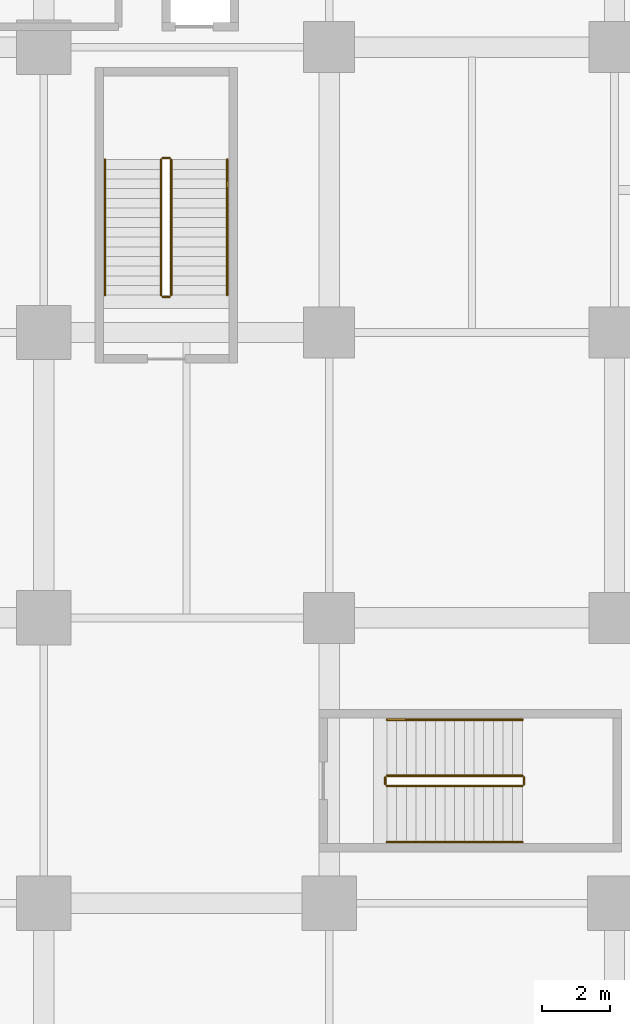
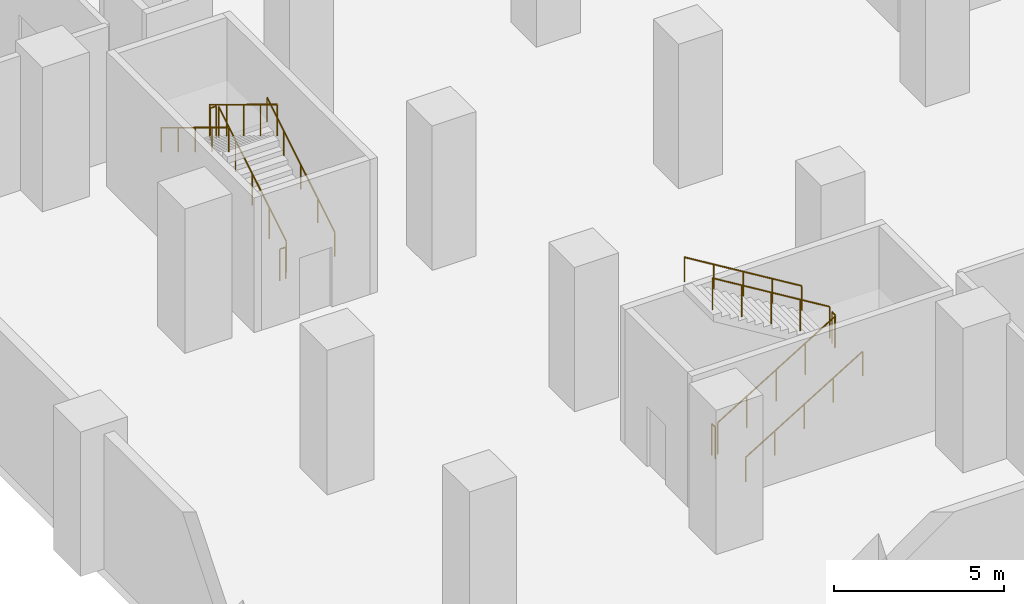
# One storey, part 16 of 19: 12 railings.
"""IFC4 building model written with IfcOpenShell, lengths in metres."""

from ifc_helpers import new_model, si_unit, direction, frame, origin, origin_2d, place, context, subcontext, project, spatial, circle, extrude, material, type_object, element, save


model = new_model("IFC4")

# Units and contexts
model_context = context("Model", 3, precision=1e-05, world=origin(), true_north=direction((0.0, 1.0)))
body_context = subcontext(model_context, "Body", "Model", "MODEL_VIEW")
ifc_project = project(units=[si_unit("LENGTHUNIT", "METRE"), si_unit("AREAUNIT", "SQUARE_METRE"), si_unit("VOLUMEUNIT", "CUBIC_METRE"), si_unit("PLANEANGLEUNIT", "RADIAN"), si_unit("MASSUNIT", "GRAM", prefix="KILO")], contexts=[model_context])

# Site, building, storey
site_placement = place(None, origin())
site = spatial("IfcSite", under=ifc_project, at=site_placement, CompositionType="ELEMENT")
building_placement = place(site_placement, origin())
building = spatial("IfcBuilding", under=site, at=building_placement, Name="Koriwani Terraces Tower", CompositionType="ELEMENT")
storey_placement = place(building_placement, frame((0.0, 0.0, 15.60009765625)))
storey = spatial("IfcBuildingStorey", under=building, at=storey_placement, Name="L03", CompositionType="ELEMENT", Elevation=15.60009765625)

# Railings
ifc_material = material(Name="Steel ASTM A572 Grade 50", Category="steel")
railing_type_1 = type_object("IfcRailingType", Name="GUARD_STAIR_WELL_1120", PredefinedType="GUARDRAIL", material=ifc_material)
railing_1_placement = place(storey_placement, frame((12.14990234375, 26.300048828125, 0.17333984375)))
element("IfcRailing", 1, at=railing_1_placement, inside=storey, type_object=railing_type_1, Name="L03 ST-P1 stair guard 1", PredefinedType="GUARDRAIL", context=body_context, shape_type="SweptSolid", body=[
    extrude(circle(Radius=0.02392578125, at=origin_2d()), frame((0.0, 0.0, 1.1259765625), z_axis=(0.0, 0.854405443041, 0.519606908058), x_axis=(-1.0, 0.0, 0.0)), (0.0, 0.0, 1.0), 4.669921875),
    extrude(circle(Radius=0.02099609375, at=origin_2d()), origin(), (0.0, 0.0, 1.0), 1.101806640625),
    extrude(circle(Radius=0.02099609375, at=origin_2d()), frame((0.0, 0.99755859375, 0.606689453125)), (0.0, 0.0, 1.0), 1.101806640625),
    extrude(circle(Radius=0.02099609375, at=origin_2d()), frame((0.0, 1.9951171875, 1.21337890625)), (0.0, 0.0, 1.0), 1.101806640625),
    extrude(circle(Radius=0.02099609375, at=origin_2d()), frame((0.0, 2.992431640625, 1.81982421875)), (0.0, 0.0, 1.0), 1.101806640625),
    extrude(circle(Radius=0.02099609375, at=origin_2d()), frame((0.0, 3.989990234375, 2.426513671875)), (0.0, 0.0, 1.0), 1.101806640625),
])
railing_2_placement = place(storey_placement, frame((12.10009765625, 30.340087890625, 2.599853515625)))
element("IfcRailing", 2, at=railing_2_placement, inside=storey, type_object=railing_type_1, Name="L03 ST-P1 stair guard 2", PredefinedType="GUARDRAIL", context=body_context, shape_type="SweptSolid", body=[
    extrude(circle(Radius=0.02392578125, at=origin_2d()), frame((0.0, 0.0, 1.1259765625), z_axis=(-1.0, 0.0, 0.0), x_axis=(0.0, -1.0, 0.0)), (0.0, 0.0, 1.0), 0.2001953125),
    extrude(circle(Radius=0.02099609375, at=origin_2d()), origin(), (0.0, 0.0, 1.0), 1.101806640625),
    extrude(circle(Radius=0.02099609375, at=origin_2d()), frame((-0.2001953125, 0.0, 0.0)), (0.0, 0.0, 1.0), 1.101806640625),
])
railing_3_placement = place(storey_placement, frame((11.85009765625, 30.2900390625, 2.773193359375)))
element("IfcRailing", 3, at=railing_3_placement, inside=storey, type_object=railing_type_1, Name="L03 ST-P1 stair guard 3", PredefinedType="GUARDRAIL", context=body_context, shape_type="SweptSolid", body=[
    extrude(circle(Radius=0.02392578125, at=origin_2d()), frame((0.0, 0.0, 1.1259765625), z_axis=(0.0, -0.854382233033, 0.519645071061), x_axis=(1.0, 0.0, 0.0)), (0.0, 0.0, 1.0), 4.669921875),
    extrude(circle(Radius=0.02099609375, at=origin_2d()), origin(), (0.0, 0.0, 1.0), 1.101806640625),
    extrude(circle(Radius=0.02099609375, at=origin_2d()), frame((0.0, -0.99755859375, 0.606689453125)), (0.0, 0.0, 1.0), 1.101806640625),
    extrude(circle(Radius=0.02099609375, at=origin_2d()), frame((0.0, -1.9951171875, 1.21337890625)), (0.0, 0.0, 1.0), 1.101806640625),
    extrude(circle(Radius=0.02099609375, at=origin_2d()), frame((0.0, -2.992431640625, 1.820068359375)), (0.0, 0.0, 1.0), 1.101806640625),
    extrude(circle(Radius=0.02099609375, at=origin_2d()), frame((0.0, -3.989990234375, 2.4267578125)), (0.0, 0.0, 1.0), 1.101806640625),
])
railing_4_placement = place(storey_placement, frame((12.10009765625, 26.25, 0.0)))
element("IfcRailing", 4, at=railing_4_placement, inside=storey, type_object=railing_type_1, Name="L03 ST-P1 stair guard 4", PredefinedType="GUARDRAIL", context=body_context, shape_type="SweptSolid", body=[
    extrude(circle(Radius=0.02392578125, at=origin_2d()), frame((0.0, 0.0, 1.1259765625), z_axis=(-1.0, 0.0, 0.0), x_axis=(0.0, -1.0, 0.0)), (0.0, 0.0, 1.0), 0.2001953125),
    extrude(circle(Radius=0.02099609375, at=origin_2d()), origin(), (0.0, 0.0, 1.0), 1.101806640625),
    extrude(circle(Radius=0.02099609375, at=origin_2d()), frame((-0.2001953125, 0.0, 0.0)), (0.0, 0.0, 1.0), 1.101806640625),
])
railing_5_placement = place(storey_placement, frame((18.5, 11.85009765625, 0.17333984375)))
element("IfcRailing", 5, at=railing_5_placement, inside=storey, type_object=railing_type_1, Name="L03 ST-P2 stair guard 1", PredefinedType="GUARDRAIL", context=body_context, shape_type="SweptSolid", body=[
    extrude(circle(Radius=0.02392578125, at=origin_2d()), frame((0.0, 0.0, 1.1259765625), z_axis=(0.854405443041, 0.0, 0.519606908058), x_axis=(0.0, 1.0, 0.0)), (0.0, 0.0, 1.0), 4.669921875),
    extrude(circle(Radius=0.02099609375, at=origin_2d()), origin(), (0.0, 0.0, 1.0), 1.101806640625),
    extrude(circle(Radius=0.02099609375, at=origin_2d()), frame((0.99755859375, 0.0, 0.606689453125)), (0.0, 0.0, 1.0), 1.101806640625),
    extrude(circle(Radius=0.02099609375, at=origin_2d()), frame((1.9951171875, 0.0, 1.21337890625)), (0.0, 0.0, 1.0), 1.101806640625),
    extrude(circle(Radius=0.02099609375, at=origin_2d()), frame((2.992431640625, 0.0, 1.81982421875)), (0.0, 0.0, 1.0), 1.101806640625),
    extrude(circle(Radius=0.02099609375, at=origin_2d()), frame((3.989990234375, 0.0, 2.426513671875)), (0.0, 0.0, 1.0), 1.101806640625),
])
railing_6_placement = place(storey_placement, frame((22.5400390625, 11.89990234375, 2.599853515625)))
element("IfcRailing", 6, at=railing_6_placement, inside=storey, type_object=railing_type_1, Name="L03 ST-P2 stair guard 2", PredefinedType="GUARDRAIL", context=body_context, shape_type="SweptSolid", body=[
    extrude(circle(Radius=0.02392578125, at=origin_2d()), frame((0.0, 0.0, 1.1259765625), z_axis=(0.0, 1.0, 0.0), x_axis=(-1.0, 0.0, 0.0)), (0.0, 0.0, 1.0), 0.2001953125),
    extrude(circle(Radius=0.02099609375, at=origin_2d()), origin(), (0.0, 0.0, 1.0), 1.101806640625),
    extrude(circle(Radius=0.02099609375, at=origin_2d()), frame((0.0, 0.2001953125, 0.0)), (0.0, 0.0, 1.0), 1.101806640625),
])
railing_7_placement = place(storey_placement, frame((22.489990234375, 12.14990234375, 2.773193359375)))
element("IfcRailing", 7, at=railing_7_placement, inside=storey, type_object=railing_type_1, Name="L03 ST-P2 stair guard 3", PredefinedType="GUARDRAIL", context=body_context, shape_type="SweptSolid", body=[
    extrude(circle(Radius=0.02392578125, at=origin_2d()), frame((0.0, 0.0, 1.1259765625), z_axis=(-0.854382233033, 0.0, 0.519645071061), x_axis=(0.0, -1.0, 0.0)), (0.0, 0.0, 1.0), 4.669921875),
    extrude(circle(Radius=0.02099609375, at=origin_2d()), origin(), (0.0, 0.0, 1.0), 1.101806640625),
    extrude(circle(Radius=0.02099609375, at=origin_2d()), frame((-0.99755859375, 0.0, 0.606689453125)), (0.0, 0.0, 1.0), 1.101806640625),
    extrude(circle(Radius=0.02099609375, at=origin_2d()), frame((-1.9951171875, 0.0, 1.21337890625)), (0.0, 0.0, 1.0), 1.101806640625),
    extrude(circle(Radius=0.02099609375, at=origin_2d()), frame((-2.992431640625, 0.0, 1.820068359375)), (0.0, 0.0, 1.0), 1.101806640625),
    extrude(circle(Radius=0.02099609375, at=origin_2d()), frame((-3.989990234375, 0.0, 2.4267578125)), (0.0, 0.0, 1.0), 1.101806640625),
])
railing_8_placement = place(storey_placement, frame((18.449951171875, 11.89990234375, 0.0)))
element("IfcRailing", 8, at=railing_8_placement, inside=storey, type_object=railing_type_1, Name="L03 ST-P2 stair guard 4", PredefinedType="GUARDRAIL", context=body_context, shape_type="SweptSolid", body=[
    extrude(circle(Radius=0.02392578125, at=origin_2d()), frame((0.0, 0.0, 1.1259765625), z_axis=(0.0, 1.0, 0.0), x_axis=(-1.0, 0.0, 0.0)), (0.0, 0.0, 1.0), 0.2001953125),
    extrude(circle(Radius=0.02099609375, at=origin_2d()), origin(), (0.0, 0.0, 1.0), 1.101806640625),
    extrude(circle(Radius=0.02099609375, at=origin_2d()), frame((0.0, 0.2001953125, 0.0)), (0.0, 0.0, 1.0), 1.101806640625),
])
railing_type_2 = type_object("IfcRailingType", Name="HANDRAIL_STAIR_920", PredefinedType="HANDRAIL", material=ifc_material)
railing_9_placement = place(storey_placement, frame((13.800048828125, 26.300048828125, 0.17333984375)))
element("IfcRailing", 9, at=railing_9_placement, inside=storey, type_object=railing_type_2, Name="L03 ST-P1 stair handrail 1", PredefinedType="HANDRAIL", context=body_context, shape_type="SweptSolid", body=[
    extrude(circle(Radius=0.02392578125, at=origin_2d()), frame((0.0, 0.0, 0.8759765625), z_axis=(0.0, 0.854405443041, 0.519606908058), x_axis=(-1.0, 0.0, 0.0)), (0.0, 0.0, 1.0), 4.669921875),
    extrude(circle(Radius=0.02099609375, at=origin_2d()), origin(), (0.0, 0.0, 1.0), 0.851806640625),
    extrude(circle(Radius=0.02099609375, at=origin_2d()), frame((0.0, 0.99755859375, 0.606689453125)), (0.0, 0.0, 1.0), 0.851806640625),
    extrude(circle(Radius=0.02099609375, at=origin_2d()), frame((0.0, 1.9951171875, 1.21337890625)), (0.0, 0.0, 1.0), 0.851806640625),
    extrude(circle(Radius=0.02099609375, at=origin_2d()), frame((0.0, 2.992431640625, 1.81982421875)), (0.0, 0.0, 1.0), 0.851806640625),
    extrude(circle(Radius=0.02099609375, at=origin_2d()), frame((0.0, 3.989990234375, 2.426513671875)), (0.0, 0.0, 1.0), 0.851806640625),
])
railing_10_placement = place(storey_placement, frame((10.199951171875, 30.2900390625, 2.773193359375)))
element("IfcRailing", 10, at=railing_10_placement, inside=storey, type_object=railing_type_2, Name="L03 ST-P1 stair handrail 2", PredefinedType="HANDRAIL", context=body_context, shape_type="SweptSolid", body=[
    extrude(circle(Radius=0.02392578125, at=origin_2d()), frame((0.0, 0.0, 0.8759765625), z_axis=(0.0, -0.854382233033, 0.519645071061), x_axis=(1.0, 0.0, 0.0)), (0.0, 0.0, 1.0), 4.669921875),
    extrude(circle(Radius=0.02099609375, at=origin_2d()), origin(), (0.0, 0.0, 1.0), 0.851806640625),
    extrude(circle(Radius=0.02099609375, at=origin_2d()), frame((0.0, -0.99755859375, 0.606689453125)), (0.0, 0.0, 1.0), 0.851806640625),
    extrude(circle(Radius=0.02099609375, at=origin_2d()), frame((0.0, -1.9951171875, 1.21337890625)), (0.0, 0.0, 1.0), 0.851806640625),
    extrude(circle(Radius=0.02099609375, at=origin_2d()), frame((0.0, -2.992431640625, 1.820068359375)), (0.0, 0.0, 1.0), 0.851806640625),
    extrude(circle(Radius=0.02099609375, at=origin_2d()), frame((0.0, -3.989990234375, 2.4267578125)), (0.0, 0.0, 1.0), 0.851806640625),
])
railing_11_placement = place(storey_placement, frame((18.5, 10.199951171875, 0.17333984375)))
element("IfcRailing", 11, at=railing_11_placement, inside=storey, type_object=railing_type_2, Name="L03 ST-P2 stair handrail 1", PredefinedType="HANDRAIL", context=body_context, shape_type="SweptSolid", body=[
    extrude(circle(Radius=0.02392578125, at=origin_2d()), frame((0.0, 0.0, 0.8759765625), z_axis=(0.854405443041, 0.0, 0.519606908058), x_axis=(0.0, 1.0, 0.0)), (0.0, 0.0, 1.0), 4.669921875),
    extrude(circle(Radius=0.02099609375, at=origin_2d()), origin(), (0.0, 0.0, 1.0), 0.851806640625),
    extrude(circle(Radius=0.02099609375, at=origin_2d()), frame((0.99755859375, 0.0, 0.606689453125)), (0.0, 0.0, 1.0), 0.851806640625),
    extrude(circle(Radius=0.02099609375, at=origin_2d()), frame((1.9951171875, 0.0, 1.21337890625)), (0.0, 0.0, 1.0), 0.851806640625),
    extrude(circle(Radius=0.02099609375, at=origin_2d()), frame((2.992431640625, 0.0, 1.81982421875)), (0.0, 0.0, 1.0), 0.851806640625),
    extrude(circle(Radius=0.02099609375, at=origin_2d()), frame((3.989990234375, 0.0, 2.426513671875)), (0.0, 0.0, 1.0), 0.851806640625),
])
railing_12_placement = place(storey_placement, frame((22.489990234375, 13.800048828125, 2.773193359375)))
element("IfcRailing", 12, at=railing_12_placement, inside=storey, type_object=railing_type_2, Name="L03 ST-P2 stair handrail 2", PredefinedType="HANDRAIL", context=body_context, shape_type="SweptSolid", body=[
    extrude(circle(Radius=0.02392578125, at=origin_2d()), frame((0.0, 0.0, 0.8759765625), z_axis=(-0.854382233033, 0.0, 0.519645071061), x_axis=(0.0, -1.0, 0.0)), (0.0, 0.0, 1.0), 4.669921875),
    extrude(circle(Radius=0.02099609375, at=origin_2d()), origin(), (0.0, 0.0, 1.0), 0.851806640625),
    extrude(circle(Radius=0.02099609375, at=origin_2d()), frame((-0.99755859375, 0.0, 0.606689453125)), (0.0, 0.0, 1.0), 0.851806640625),
    extrude(circle(Radius=0.02099609375, at=origin_2d()), frame((-1.9951171875, 0.0, 1.21337890625)), (0.0, 0.0, 1.0), 0.851806640625),
    extrude(circle(Radius=0.02099609375, at=origin_2d()), frame((-2.992431640625, 0.0, 1.820068359375)), (0.0, 0.0, 1.0), 0.851806640625),
    extrude(circle(Radius=0.02099609375, at=origin_2d()), frame((-3.989990234375, 0.0, 2.4267578125)), (0.0, 0.0, 1.0), 0.851806640625),
])

save(model, "model.ifc")
